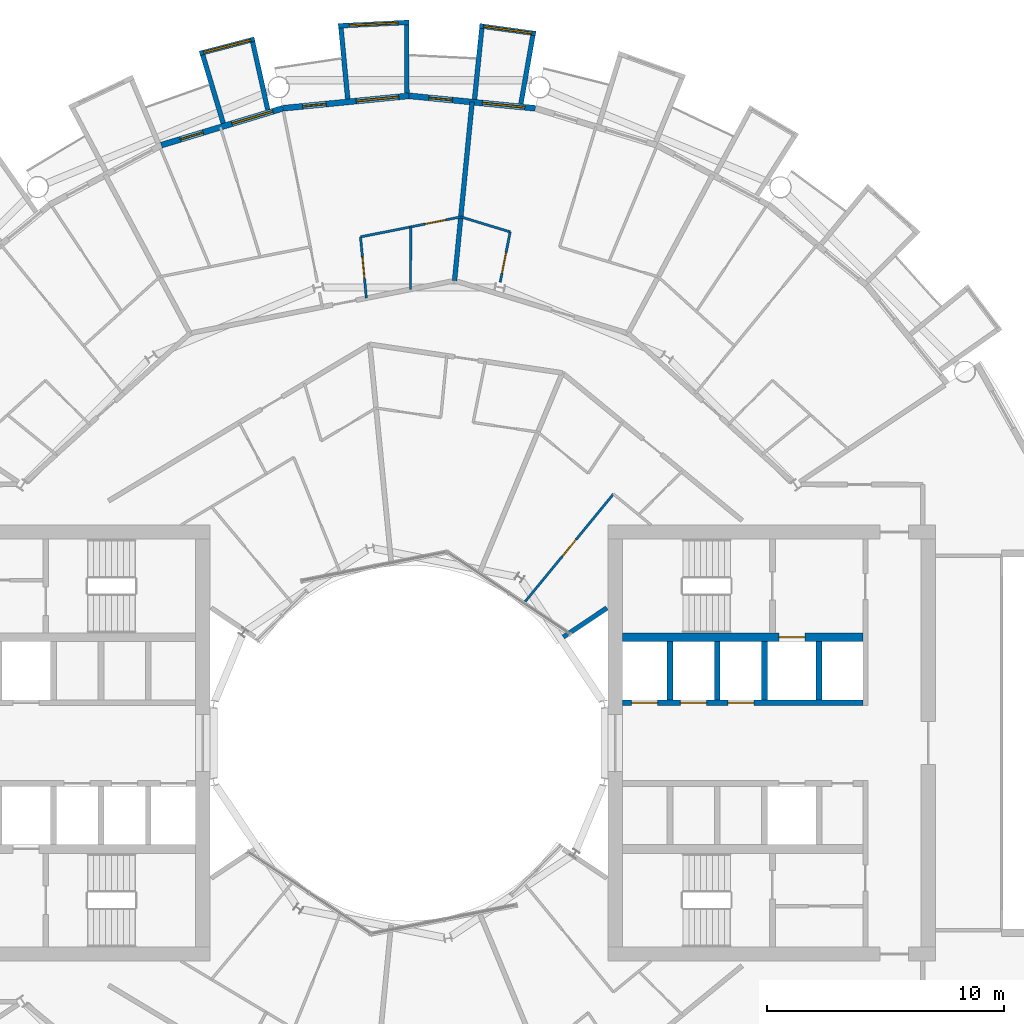
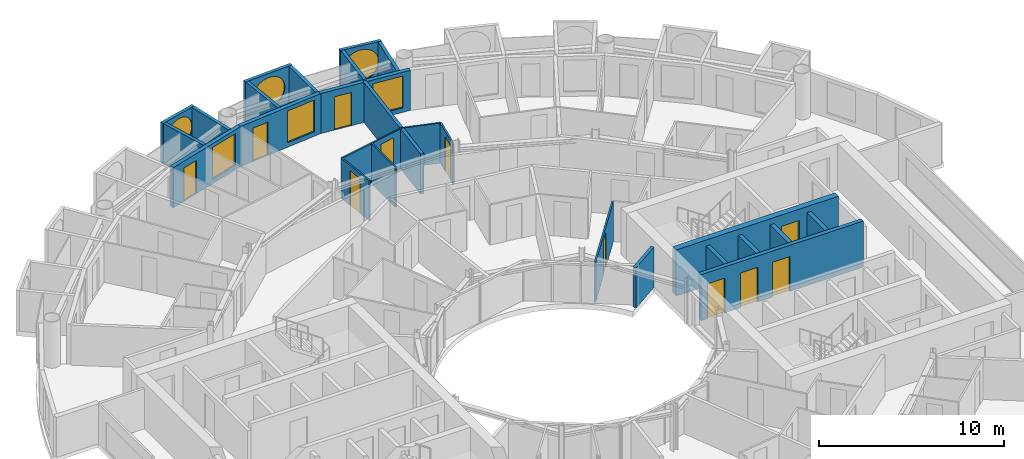
# One storey, part 21 of 27: 26 walls, 11 doors, 6 windows, 17 openings.
"""IFC4 building model written with IfcOpenShell, lengths in metres."""

from ifc_helpers import new_model, si_unit, direction, frame, frame_2d, origin, place, context, subcontext, project, spatial, rectangle, circle, extrude, material, layer, layer_set, type_object, element, fill, save


model = new_model("IFC4")

# Units and contexts
model_context = context("Model", 3, precision=1e-05, world=origin(), true_north=direction((0.0, 1.0)))
body_context = subcontext(model_context, "Body", "Model", "MODEL_VIEW")
ifc_project = project(units=[si_unit("LENGTHUNIT", "METRE"), si_unit("AREAUNIT", "SQUARE_METRE"), si_unit("VOLUMEUNIT", "CUBIC_METRE"), si_unit("PLANEANGLEUNIT", "RADIAN"), si_unit("MASSUNIT", "GRAM", prefix="KILO")], contexts=[model_context])

# Site, building, storey
site_placement = place(None, origin())
site = spatial("IfcSite", under=ifc_project, at=site_placement, CompositionType="ELEMENT")
building_placement = place(site_placement, origin())
building = spatial("IfcBuilding", under=site, at=building_placement, Name="Maasbend Ring Residences", CompositionType="ELEMENT")
storey_placement = place(building_placement, frame((0.0, 0.0, 136.050048828125)))
storey = spatial("IfcBuildingStorey", under=building, at=storey_placement, Name="L39", CompositionType="ELEMENT", Elevation=136.050048828125)

# Wall, openings, doors
ifc_material_1 = material(Name="Concrete C60/75", Category="concrete")
ifc_layer_1 = layer(ifc_material_1, 0.25)
ifc_layer_set_1 = layer_set([ifc_layer_1], Name="Concrete C60/75")
wall_type_1 = type_object("IfcWallType", Name="CORE WALL 250 C60/75", PredefinedType="SHEAR", material=ifc_layer_set_1)
wall_1_placement = place(storey_placement, frame((9.0, 1.699951171875, 0.0), z_axis=(0.0, 0.0, 1.0), x_axis=(1.0, 0.0, 0.0)))
wall_1 = element("IfcWall", 1, at=wall_1_placement, inside=storey, type_object=wall_type_1, Name="L39 core E wall SPN", PredefinedType="SHEAR", context=body_context, shape_type="SweptSolid", body=[
    extrude(rectangle(XDim=10.14990234375, YDim=0.25, at=frame_2d((5.074951171875, 0.0))), origin(), (0.0, 0.0, 1.0), 3.050048828125),
])
opening_1_placement = place(wall_1_placement, frame((0.387451171875, 0.0, 0.0)))
opening_1 = element("IfcOpeningElement", 2, at=opening_1_placement, cuts=wall_1, Name="Opening LD-E3901", PredefinedType="OPENING", context=body_context, shape_type="SweptSolid", body=[
    extrude(rectangle(XDim=1.10009765625, YDim=2.300048828125, at=frame_2d((0.550048828125, 1.14990234375))), frame((0.0, 0.135009765625, 0.0), z_axis=(0.0, -1.0, 0.0), x_axis=(1.0, 0.0, 0.0)), (0.0, 0.0, 1.0), 0.27001953125),
])
opening_2_placement = place(wall_1_placement, frame((2.449951171875, 0.0, 0.0)))
opening_2 = element("IfcOpeningElement", 3, at=opening_2_placement, cuts=wall_1, Name="Opening LD-E3902", PredefinedType="OPENING", context=body_context, shape_type="SweptSolid", body=[
    extrude(rectangle(XDim=1.10009765625, YDim=2.300048828125, at=frame_2d((0.550048828125, 1.14990234375))), frame((0.0, 0.135009765625, 0.0), z_axis=(0.0, -1.0, 0.0), x_axis=(1.0, 0.0, 0.0)), (0.0, 0.0, 1.0), 0.27001953125),
])
opening_3_placement = place(wall_1_placement, frame((4.449951171875, 0.0, 0.0)))
opening_3 = element("IfcOpeningElement", 4, at=opening_3_placement, cuts=wall_1, Name="Opening LD-E3903", PredefinedType="OPENING", context=body_context, shape_type="SweptSolid", body=[
    extrude(rectangle(XDim=1.10009765625, YDim=2.300048828125, at=frame_2d((0.550048828125, 1.14990234375))), frame((0.0, 0.135009765625, 0.0), z_axis=(0.0, -1.0, 0.0), x_axis=(1.0, 0.0, 0.0)), (0.0, 0.0, 1.0), 0.27001953125),
])
ifc_material_2 = material(Name="Stainless steel 316", Category="steel")
door_type_1 = type_object("IfcDoorType", Name="LANDING DOOR 1100 X 2300 FD60", OperationType="DOUBLE_DOOR_SLIDING", PredefinedType="DOOR", material=ifc_material_2)
door_1_placement = place(opening_1_placement, origin())
door_1 = element("IfcDoor", 5, at=door_1_placement, inside=storey, type_object=door_type_1, Name="Landing door LR-E1 L39", OperationType="DOUBLE_DOOR_SLIDING", OverallHeight=2.300048828125, OverallWidth=1.10009765625, PredefinedType="DOOR", context=body_context, shape_type="SweptSolid", body=[
    extrude(rectangle(XDim=1.10009765625, YDim=2.300048828125, at=frame_2d((0.550048828125, 1.14990234375))), frame((0.0, 0.02490234375, 0.0), z_axis=(0.0, -1.0, 0.0), x_axis=(1.0, 0.0, 0.0)), (0.0, 0.0, 1.0), 0.050048828125),
])
fill(opening_1, door_1)
door_2_placement = place(opening_2_placement, origin())
door_2 = element("IfcDoor", 6, at=door_2_placement, inside=storey, type_object=door_type_1, Name="Landing door LR-E2 L39", OperationType="DOUBLE_DOOR_SLIDING", OverallHeight=2.300048828125, OverallWidth=1.10009765625, PredefinedType="DOOR", context=body_context, shape_type="SweptSolid", body=[
    extrude(rectangle(XDim=1.10009765625, YDim=2.300048828125, at=frame_2d((0.550048828125, 1.14990234375))), frame((0.0, 0.02490234375, 0.0), z_axis=(0.0, -1.0, 0.0), x_axis=(1.0, 0.0, 0.0)), (0.0, 0.0, 1.0), 0.050048828125),
])
fill(opening_2, door_2)
door_3_placement = place(opening_3_placement, origin())
door_3 = element("IfcDoor", 7, at=door_3_placement, inside=storey, type_object=door_type_1, Name="Landing door LR-E3 L39", OperationType="DOUBLE_DOOR_SLIDING", OverallHeight=2.300048828125, OverallWidth=1.10009765625, PredefinedType="DOOR", context=body_context, shape_type="SweptSolid", body=[
    extrude(rectangle(XDim=1.10009765625, YDim=2.300048828125, at=frame_2d((0.550048828125, 1.14990234375))), frame((0.0, 0.02490234375, 0.0), z_axis=(0.0, -1.0, 0.0), x_axis=(1.0, 0.0, 0.0)), (0.0, 0.0, 1.0), 0.050048828125),
])
fill(opening_3, door_3)

# Wall, opening, door
ifc_material_3 = material(Name="Concrete C60/75", Category="concrete")
ifc_layer_2 = layer(ifc_material_3, 0.375)
ifc_layer_set_2 = layer_set([ifc_layer_2], Name="Concrete C60/75")
wall_type_2 = type_object("IfcWallType", Name="CORE WALL 375 C60/75", PredefinedType="SHEAR", material=ifc_layer_set_2)
wall_2_placement = place(storey_placement, frame((9.0, 4.46240234375, 0.0), z_axis=(0.0, 0.0, 1.0), x_axis=(1.0, 0.0, 0.0)))
wall_2 = element("IfcWall", 8, at=wall_2_placement, inside=storey, type_object=wall_type_2, Name="L39 core E wall BN", PredefinedType="SHEAR", context=body_context, shape_type="SweptSolid", body=[
    extrude(rectangle(XDim=10.14990234375, YDim=0.375, at=frame_2d((5.074951171875, 0.0))), origin(), (0.0, 0.0, 1.0), 3.050048828125),
])
opening_4_placement = place(wall_2_placement, frame((6.60009765625, 0.0, 0.0)))
opening_4 = element("IfcOpeningElement", 9, at=opening_4_placement, cuts=wall_2, Name="Opening LD-E3904", PredefinedType="OPENING", context=body_context, shape_type="SweptSolid", body=[
    extrude(rectangle(XDim=1.10009765625, YDim=2.300048828125, at=frame_2d((0.550048828125, 1.14990234375))), frame((0.0, 0.197509765625, 0.0), z_axis=(0.0, -1.0, 0.0), x_axis=(1.0, 0.0, 0.0)), (0.0, 0.0, 1.0), 0.39501953125),
])
door_4_placement = place(opening_4_placement, origin())
door_4 = element("IfcDoor", 10, at=door_4_placement, inside=storey, type_object=door_type_1, Name="Landing door FF-E L39", OperationType="DOUBLE_DOOR_SLIDING", OverallHeight=2.300048828125, OverallWidth=1.10009765625, PredefinedType="DOOR", context=body_context, shape_type="SweptSolid", body=[
    extrude(rectangle(XDim=1.10009765625, YDim=2.300048828125, at=frame_2d((0.550048828125, 1.14990234375))), frame((0.0, 0.02490234375, 0.0), z_axis=(0.0, -1.0, 0.0), x_axis=(1.0, 0.0, 0.0)), (0.0, 0.0, 1.0), 0.050048828125),
])
fill(opening_4, door_4)

# Wall, opening, window
ifc_material_4 = material(Name="Pale anodised aluminium panel", Category="aluminium")
ifc_layer_3 = layer(ifc_material_4, 0.199951171875)
ifc_layer_set_3 = layer_set([ifc_layer_3], Name="EW-BOX")
wall_type_3 = type_object("IfcWallType", Name="EW-BOX", PredefinedType="SOLIDWALL", material=ifc_layer_set_3)
wall_3_placement = place(storey_placement, frame((5.344970703125, 29.927001953125, -0.030029296875), z_axis=(0.0, 0.0, 1.0), x_axis=(-0.99061207328, 0.136703036805, 0.0)))
wall_3 = element("IfcWall", 11, at=wall_3_placement, inside=storey, type_object=wall_type_3, Name="Box front N09", PredefinedType="SOLIDWALL", context=body_context, shape_type="SweptSolid", body=[
    extrude(rectangle(XDim=2.391357421875, YDim=0.199951171875, at=frame_2d((1.19580078125, 0.0))), origin(), (0.0, 0.0, 1.0), 2.679931640625),
])
opening_5_placement = place(wall_3_placement, frame((0.15576171875, 0.0, 0.330078125)))
opening_5 = element("IfcOpeningElement", 12, at=opening_5_placement, cuts=wall_3, Name="Opening W-RD", PredefinedType="OPENING", context=body_context, shape_type="SweptSolid", body=[
    extrude(circle(Radius=1.0400390625, at=frame_2d((1.0400390625, 1.0400390625))), frame((0.0, 0.10986328125, 0.0), z_axis=(0.0, -1.0, 0.0), x_axis=(1.0, 0.0, 0.0)), (0.0, 0.0, 1.0), 0.219970703125),
])
ifc_material_5 = material(Name="Aluminium and clear glass", Category="aluminium")
window_type_1 = type_object("IfcWindowType", Name="W-RD", PartitioningType="SINGLE_PANEL", PredefinedType="WINDOW", material=ifc_material_5)
window_1_placement = place(opening_5_placement, origin())
window_1 = element("IfcWindow", 13, at=window_1_placement, inside=storey, type_object=window_type_1, Name="Round window N09", OverallHeight=2.080078125, OverallWidth=2.080078125, PartitioningType="SINGLE_PANEL", PredefinedType="WINDOW", context=body_context, shape_type="SweptSolid", body=[
    extrude(circle(Radius=1.0400390625, at=frame_2d((1.0400390625, 1.0400390625))), frame((0.0, 0.030029296875, 0.0), z_axis=(0.0, -1.0, 0.0), x_axis=(1.0, 0.0, 0.0)), (0.0, 0.0, 1.0), 0.06005859375),
])
fill(opening_5, window_1)

# Walls
wall_4_placement = place(storey_placement, frame((4.719970703125, 26.9609375, -0.030029296875), z_axis=(0.0, 0.0, 1.0), x_axis=(0.172463232037, 0.98501595601, 0.0)))
element("IfcWall", 14, at=wall_4_placement, inside=storey, type_object=wall_type_3, Name="Box side wall N09 left", PredefinedType="SOLIDWALL", context=body_context, shape_type="SweptSolid", body=[
    extrude(rectangle(XDim=2.928955078125, YDim=0.199951171875, at=frame_2d((1.46435546875, 0.0))), origin(), (0.0, 0.0, 1.0), 2.679931640625),
])
wall_5_placement = place(storey_placement, frame((2.763916015625, 27.153076171875, -0.030029296875), z_axis=(0.0, 0.0, 1.0), x_axis=(0.101505487237, 0.994834979311, 0.0)))
element("IfcWall", 15, at=wall_5_placement, inside=storey, type_object=wall_type_3, Name="Box side wall N09 right", PredefinedType="SOLIDWALL", context=body_context, shape_type="SweptSolid", body=[
    extrude(rectangle(XDim=3.006591796875, YDim=0.199951171875, at=frame_2d((1.50341796875, 0.0))), origin(), (0.0, 0.0, 1.0), 2.679931640625),
])

# Wall, opening, window
wall_6_placement = place(storey_placement, frame((0.0048828125, 30.39990234375, -0.030029296875), z_axis=(0.0, 0.0, 1.0), x_axis=(-0.998794083011, -0.049095618353, 0.0)))
wall_6 = element("IfcWall", 16, at=wall_6_placement, inside=storey, type_object=wall_type_3, Name="Box front N11", PredefinedType="SOLIDWALL", context=body_context, shape_type="SweptSolid", body=[
    extrude(rectangle(XDim=2.99365234375, YDim=0.199951171875, at=frame_2d((1.496826171875, 0.0))), origin(), (0.0, 0.0, 1.0), 2.679931640625),
])
opening_6_placement = place(wall_6_placement, frame((0.45654296875, 0.0, 0.330078125)))
opening_6 = element("IfcOpeningElement", 17, at=opening_6_placement, cuts=wall_6, Name="Opening W-RD", PredefinedType="OPENING", context=body_context, shape_type="SweptSolid", body=[
    extrude(circle(Radius=1.0400390625, at=frame_2d((1.0400390625, 1.0400390625))), frame((0.0, 0.10986328125, 0.0), z_axis=(0.0, -1.0, 0.0), x_axis=(1.0, 0.0, 0.0)), (0.0, 0.0, 1.0), 0.219970703125),
])
window_2_placement = place(opening_6_placement, origin())
window_2 = element("IfcWindow", 18, at=window_2_placement, inside=storey, type_object=window_type_1, Name="Round window N11", OverallHeight=2.080078125, OverallWidth=2.080078125, PartitioningType="SINGLE_PANEL", PredefinedType="WINDOW", context=body_context, shape_type="SweptSolid", body=[
    extrude(circle(Radius=1.0400390625, at=frame_2d((1.0400390625, 1.0400390625))), frame((0.0, 0.030029296875, 0.0), z_axis=(0.0, -1.0, 0.0), x_axis=(1.0, 0.0, 0.0)), (0.0, 0.0, 1.0), 0.06005859375),
])
fill(opening_6, window_2)

# Walls
wall_7_placement = place(storey_placement, frame((-0.090087890625, 27.4169921875, -0.030029296875), z_axis=(0.0, 0.0, 1.0), x_axis=(-0.00347308367, 0.999993968827, 0.0)))
element("IfcWall", 19, at=wall_7_placement, inside=storey, type_object=wall_type_3, Name="Box side wall N11 left", PredefinedType="SOLIDWALL", context=body_context, shape_type="SweptSolid", body=[
    extrude(rectangle(XDim=2.882080078125, YDim=0.199951171875, at=frame_2d((1.44091796875, 0.0))), origin(), (0.0, 0.0, 1.0), 2.679931640625),
])
wall_8_placement = place(storey_placement, frame((-2.5859375, 27.1708984375, -0.030029296875), z_axis=(0.0, 0.0, 1.0), x_axis=(-0.094548432284, 0.995520262954, 0.0)))
element("IfcWall", 20, at=wall_8_placement, inside=storey, type_object=wall_type_3, Name="Box side wall N11 right", PredefinedType="SOLIDWALL", context=body_context, shape_type="SweptSolid", body=[
    extrude(rectangle(XDim=3.005615234375, YDim=0.199951171875, at=frame_2d((1.5029296875, 0.0))), origin(), (0.0, 0.0, 1.0), 2.679931640625),
])

# Wall, opening, window
wall_9_placement = place(storey_placement, frame((-6.514892578125, 29.694091796875, -0.030029296875), z_axis=(0.0, 0.0, 1.0), x_axis=(-0.967554339146, -0.252663018266, 0.0)))
wall_9 = element("IfcWall", 21, at=wall_9_placement, inside=storey, type_object=wall_type_3, Name="Box front N13", PredefinedType="SOLIDWALL", context=body_context, shape_type="SweptSolid", body=[
    extrude(rectangle(XDim=2.390625, YDim=0.199951171875, at=frame_2d((1.1953125, 0.0))), origin(), (0.0, 0.0, 1.0), 2.679931640625),
])
opening_7_placement = place(wall_9_placement, frame((0.15576171875, 0.0, 0.330078125)))
opening_7 = element("IfcOpeningElement", 22, at=opening_7_placement, cuts=wall_9, Name="Opening W-RD", PredefinedType="OPENING", context=body_context, shape_type="SweptSolid", body=[
    extrude(circle(Radius=1.0400390625, at=frame_2d((1.0400390625, 1.0400390625))), frame((0.0, 0.10986328125, 0.0), z_axis=(0.0, -1.0, 0.0), x_axis=(1.0, 0.0, 0.0)), (0.0, 0.0, 1.0), 0.219970703125),
])
window_3_placement = place(opening_7_placement, origin())
window_3 = element("IfcWindow", 23, at=window_3_placement, inside=storey, type_object=window_type_1, Name="Round window N13", OverallHeight=2.080078125, OverallWidth=2.080078125, PartitioningType="SINGLE_PANEL", PredefinedType="WINDOW", context=body_context, shape_type="SweptSolid", body=[
    extrude(circle(Radius=1.0400390625, at=frame_2d((1.0400390625, 1.0400390625))), frame((0.0, 0.030029296875, 0.0), z_axis=(0.0, -1.0, 0.0), x_axis=(1.0, 0.0, 0.0)), (0.0, 0.0, 1.0), 0.06005859375),
])
fill(opening_7, window_3)

# Walls
wall_10_placement = place(storey_placement, frame((-5.95703125, 26.715087890625, -0.030029296875), z_axis=(0.0, 0.0, 1.0), x_axis=(-0.217857287091, 0.975980636315, 0.0)))
element("IfcWall", 24, at=wall_10_placement, inside=storey, type_object=wall_type_3, Name="Box side wall N13 left", PredefinedType="SOLIDWALL", context=body_context, shape_type="SweptSolid", body=[
    extrude(rectangle(XDim=2.92822265625, YDim=0.199951171875, at=frame_2d((1.464111328125, 0.0))), origin(), (0.0, 0.0, 1.0), 2.679931640625),
])
wall_11_placement = place(storey_placement, frame((-7.8369140625, 26.14404296875, -0.030029296875), z_axis=(0.0, 0.0, 1.0), x_axis=(-0.287064767992, 0.957911174889, 0.0)))
element("IfcWall", 25, at=wall_11_placement, inside=storey, type_object=wall_type_3, Name="Box side wall N13 right", PredefinedType="SOLIDWALL", context=body_context, shape_type="SweptSolid", body=[
    extrude(rectangle(XDim=3.00634765625, YDim=0.199951171875, at=frame_2d((1.503173828125, 0.0))), origin(), (0.0, 0.0, 1.0), 2.679931640625),
])

# Wall, openings, door, window
ifc_material_6 = material(Name="Aluminium clad insulated panel", Category="aluminium")
ifc_layer_4 = layer(ifc_material_6, 0.25)
ifc_layer_set_4 = layer_set([ifc_layer_4], Name="EW-GL")
wall_type_4 = type_object("IfcWallType", Name="EW-GL", PredefinedType="SOLIDWALL", material=ifc_layer_set_4)
wall_12_placement = place(storey_placement, frame((5.325927734375, 26.77490234375, 0.0), z_axis=(0.0, 0.0, 1.0), x_axis=(-0.995173996315, 0.098126026407, 0.0)))
wall_12 = element("IfcWall", 26, at=wall_12_placement, inside=storey, type_object=wall_type_4, Name="External wall N05", PredefinedType="SOLIDWALL", context=body_context, shape_type="SweptSolid", body=[
    extrude(rectangle(XDim=5.351806640625, YDim=0.25, at=frame_2d((2.67578125, 0.0))), origin(), (0.0, 0.0, 1.0), 2.64990234375),
])
opening_8_placement = place(wall_12_placement, frame((0.441162109375, 0.0, 0.300048828125)))
opening_8 = element("IfcOpeningElement", 27, at=opening_8_placement, cuts=wall_12, Name="Opening W-BX", PredefinedType="OPENING", context=body_context, shape_type="SweptSolid", body=[
    extrude(rectangle(XDim=1.800048828125, YDim=2.10009765625, at=frame_2d((0.89990234375, 1.050048828125))), frame((0.0, 0.135009765625, 0.0), z_axis=(0.0, -1.0, 0.0), x_axis=(1.0, 0.0, 0.0)), (0.0, 0.0, 1.0), 0.27001953125),
])
opening_9_placement = place(wall_12_placement, frame((3.510498046875, 0.0, 0.0)))
opening_9 = element("IfcOpeningElement", 28, at=opening_9_placement, cuts=wall_12, Name="Opening D-LG", PredefinedType="OPENING", context=body_context, shape_type="SweptSolid", body=[
    extrude(rectangle(XDim=1.0, YDim=2.199951171875, at=frame_2d((0.5, 1.10009765625))), frame((0.0, 0.135009765625, 0.0), z_axis=(0.0, -1.0, 0.0), x_axis=(1.0, 0.0, 0.0)), (0.0, 0.0, 1.0), 0.27001953125),
])
ifc_material_7 = material(Name="Aluminium and clear glass", Category="aluminium")
door_type_2 = type_object("IfcDoorType", Name="D-LG", OperationType="SINGLE_SWING_LEFT", PredefinedType="DOOR", material=ifc_material_7)
door_5_placement = place(opening_9_placement, origin())
door_5 = element("IfcDoor", 29, at=door_5_placement, inside=storey, type_object=door_type_2, Name="Loggia door N10", OperationType="SINGLE_SWING_LEFT", OverallHeight=2.199951171875, OverallWidth=1.0, PredefinedType="DOOR", context=body_context, shape_type="SweptSolid", body=[
    extrude(rectangle(XDim=1.0, YDim=2.199951171875, at=frame_2d((0.5, 1.10009765625))), frame((0.0, 0.02490234375, 0.0), z_axis=(0.0, -1.0, 0.0), x_axis=(1.0, 0.0, 0.0)), (0.0, 0.0, 1.0), 0.050048828125),
])
fill(opening_9, door_5)
ifc_material_8 = material(Name="Aluminium and clear glass", Category="aluminium")
window_type_2 = type_object("IfcWindowType", Name="W-BX", PartitioningType="DOUBLE_PANEL_VERTICAL", PredefinedType="WINDOW", material=ifc_material_8)
window_4_placement = place(opening_8_placement, origin())
window_4 = element("IfcWindow", 30, at=window_4_placement, inside=storey, type_object=window_type_2, Name="Window N09 room to box", OverallHeight=2.10009765625, OverallWidth=1.800048828125, PartitioningType="SINGLE_PANEL", PredefinedType="WINDOW", context=body_context, shape_type="SweptSolid", body=[
    extrude(rectangle(XDim=1.800048828125, YDim=2.10009765625, at=frame_2d((0.89990234375, 1.050048828125))), frame((0.0, 0.030029296875, 0.0), z_axis=(0.0, -1.0, 0.0), x_axis=(1.0, 0.0, 0.0)), (0.0, 0.0, 1.0), 0.06005859375),
])
fill(opening_8, window_4)

wall_13_placement = place(storey_placement, frame((0.0, 27.300048828125, 0.0), z_axis=(0.0, 0.0, 1.0), x_axis=(-0.995173996315, -0.098126026407, 0.0)))
wall_13 = element("IfcWall", 31, at=wall_13_placement, inside=storey, type_object=wall_type_4, Name="External wall N06", PredefinedType="SOLIDWALL", context=body_context, shape_type="SweptSolid", body=[
    extrude(rectangle(XDim=5.351806640625, YDim=0.25, at=frame_2d((2.67578125, 0.0))), origin(), (0.0, 0.0, 1.0), 2.64990234375),
])
opening_10_placement = place(wall_13_placement, frame((0.441162109375, 0.0, 0.300048828125)))
opening_10 = element("IfcOpeningElement", 32, at=opening_10_placement, cuts=wall_13, Name="Opening W-BX", PredefinedType="OPENING", context=body_context, shape_type="SweptSolid", body=[
    extrude(rectangle(XDim=1.800048828125, YDim=2.10009765625, at=frame_2d((0.89990234375, 1.050048828125))), frame((0.0, 0.135009765625, 0.0), z_axis=(0.0, -1.0, 0.0), x_axis=(1.0, 0.0, 0.0)), (0.0, 0.0, 1.0), 0.27001953125),
])
opening_11_placement = place(wall_13_placement, frame((3.510498046875, 0.0, 0.0)))
opening_11 = element("IfcOpeningElement", 33, at=opening_11_placement, cuts=wall_13, Name="Opening D-LG", PredefinedType="OPENING", context=body_context, shape_type="SweptSolid", body=[
    extrude(rectangle(XDim=1.0, YDim=2.199951171875, at=frame_2d((0.5, 1.10009765625))), frame((0.0, 0.135009765625, 0.0), z_axis=(0.0, -1.0, 0.0), x_axis=(1.0, 0.0, 0.0)), (0.0, 0.0, 1.0), 0.27001953125),
])
door_6_placement = place(opening_11_placement, origin())
door_6 = element("IfcDoor", 34, at=door_6_placement, inside=storey, type_object=door_type_2, Name="Loggia door N12", OperationType="SINGLE_SWING_LEFT", OverallHeight=2.199951171875, OverallWidth=1.0, PredefinedType="DOOR", context=body_context, shape_type="SweptSolid", body=[
    extrude(rectangle(XDim=1.0, YDim=2.199951171875, at=frame_2d((0.5, 1.10009765625))), frame((0.0, 0.02490234375, 0.0), z_axis=(0.0, -1.0, 0.0), x_axis=(1.0, 0.0, 0.0)), (0.0, 0.0, 1.0), 0.050048828125),
])
fill(opening_11, door_6)
window_5_placement = place(opening_10_placement, origin())
window_5 = element("IfcWindow", 35, at=window_5_placement, inside=storey, type_object=window_type_2, Name="Window N11 room to box", OverallHeight=2.10009765625, OverallWidth=1.800048828125, PartitioningType="SINGLE_PANEL", PredefinedType="WINDOW", context=body_context, shape_type="SweptSolid", body=[
    extrude(rectangle(XDim=1.800048828125, YDim=2.10009765625, at=frame_2d((0.89990234375, 1.050048828125))), frame((0.0, 0.030029296875, 0.0), z_axis=(0.0, -1.0, 0.0), x_axis=(1.0, 0.0, 0.0)), (0.0, 0.0, 1.0), 0.06005859375),
])
fill(opening_10, window_5)

wall_14_placement = place(storey_placement, frame((-5.325927734375, 26.77490234375, 0.0), z_axis=(0.0, 0.0, 1.0), x_axis=(-0.956965678721, -0.290201119486, 0.0)))
wall_14 = element("IfcWall", 36, at=wall_14_placement, inside=storey, type_object=wall_type_4, Name="External wall N07", PredefinedType="SOLIDWALL", context=body_context, shape_type="SweptSolid", body=[
    extrude(rectangle(XDim=5.351318359375, YDim=0.25, at=frame_2d((2.67578125, 0.0))), origin(), (0.0, 0.0, 1.0), 2.64990234375),
])
opening_12_placement = place(wall_14_placement, frame((0.441162109375, 0.0, 0.300048828125)))
opening_12 = element("IfcOpeningElement", 37, at=opening_12_placement, cuts=wall_14, Name="Opening W-BX", PredefinedType="OPENING", context=body_context, shape_type="SweptSolid", body=[
    extrude(rectangle(XDim=1.800048828125, YDim=2.10009765625, at=frame_2d((0.89990234375, 1.050048828125))), frame((0.0, 0.135009765625, 0.0), z_axis=(0.0, -1.0, 0.0), x_axis=(1.0, 0.0, 0.0)), (0.0, 0.0, 1.0), 0.27001953125),
])
opening_13_placement = place(wall_14_placement, frame((3.510498046875, 0.0, 0.0)))
opening_13 = element("IfcOpeningElement", 38, at=opening_13_placement, cuts=wall_14, Name="Opening D-LG", PredefinedType="OPENING", context=body_context, shape_type="SweptSolid", body=[
    extrude(rectangle(XDim=1.0, YDim=2.199951171875, at=frame_2d((0.5, 1.10009765625))), frame((0.0, 0.135009765625, 0.0), z_axis=(0.0, -1.0, 0.0), x_axis=(1.0, 0.0, 0.0)), (0.0, 0.0, 1.0), 0.27001953125),
])
door_7_placement = place(opening_13_placement, origin())
door_7 = element("IfcDoor", 39, at=door_7_placement, inside=storey, type_object=door_type_2, Name="Loggia door N14", OperationType="SINGLE_SWING_LEFT", OverallHeight=2.199951171875, OverallWidth=1.0, PredefinedType="DOOR", context=body_context, shape_type="SweptSolid", body=[
    extrude(rectangle(XDim=1.0, YDim=2.199951171875, at=frame_2d((0.5, 1.10009765625))), frame((0.0, 0.02490234375, 0.0), z_axis=(0.0, -1.0, 0.0), x_axis=(1.0, 0.0, 0.0)), (0.0, 0.0, 1.0), 0.050048828125),
])
fill(opening_13, door_7)
window_6_placement = place(opening_12_placement, origin())
window_6 = element("IfcWindow", 40, at=window_6_placement, inside=storey, type_object=window_type_2, Name="Window N13 room to box", OverallHeight=2.10009765625, OverallWidth=1.800048828125, PartitioningType="SINGLE_PANEL", PredefinedType="WINDOW", context=body_context, shape_type="SweptSolid", body=[
    extrude(rectangle(XDim=1.800048828125, YDim=2.10009765625, at=frame_2d((0.89990234375, 1.050048828125))), frame((0.0, 0.030029296875, 0.0), z_axis=(0.0, -1.0, 0.0), x_axis=(1.0, 0.0, 0.0)), (0.0, 0.0, 1.0), 0.06005859375),
])
fill(opening_12, window_6)

# Wall, opening, door
ifc_material_9 = material(Name="Gypsum board on steel studs", Category="steel")
ifc_layer_5 = layer(ifc_material_9, 0.10009765625)
ifc_layer_set_5 = layer_set([ifc_layer_5], Name="PARTITION 100 GYPSUM")
wall_type_5 = type_object("IfcWallType", Name="PARTITION 100 GYPSUM", PredefinedType="PARTITIONING", material=ifc_layer_set_5)
wall_15_placement = place(storey_placement, frame((-2.047119140625, 21.35107421875, 0.0), z_axis=(0.0, 0.0, 1.0), x_axis=(0.095518932305, -0.995427613426, 0.0)))
wall_15 = element("IfcWall", 41, at=wall_15_placement, inside=storey, type_object=wall_type_5, Name="U-L39-w059", PredefinedType="PARTITIONING", context=body_context, shape_type="SweptSolid", body=[
    extrude(rectangle(XDim=2.596923828125, YDim=0.10009765625, at=frame_2d((1.29833984375, 0.0))), origin(), (0.0, 0.0, 1.0), 2.64990234375),
])
opening_14_placement = place(wall_15_placement, frame((0.847900390625, 0.0, 0.0)))
opening_14 = element("IfcOpeningElement", 42, at=opening_14_placement, cuts=wall_15, Name="Opening D-3913", PredefinedType="OPENING", context=body_context, shape_type="SweptSolid", body=[
    extrude(rectangle(XDim=0.89990234375, YDim=2.300048828125, at=frame_2d((0.449951171875, 1.14990234375))), frame((0.0, 0.06005859375, 0.0), z_axis=(0.0, -1.0, 0.0), x_axis=(1.0, 0.0, 0.0)), (0.0, 0.0, 1.0), 0.1201171875),
])
ifc_material_10 = material(Name="Timber, painted", Category="wood")
door_type_3 = type_object("IfcDoorType", Name="INTERNAL DOOR 900 X 2300", OperationType="NOTDEFINED", PredefinedType="DOOR", material=ifc_material_10)
door_8_placement = place(opening_14_placement, origin())
door_8 = element("IfcDoor", 43, at=door_8_placement, inside=storey, type_object=door_type_3, Name="D-3913", OperationType="SINGLE_SWING_RIGHT", OverallHeight=2.300048828125, OverallWidth=0.89990234375, PredefinedType="DOOR", context=body_context, shape_type="SweptSolid", body=[
    extrude(rectangle(XDim=0.89990234375, YDim=2.300048828125, at=frame_2d((0.449951171875, 1.14990234375))), frame((0.0, 0.02490234375, 0.0), z_axis=(0.0, -1.0, 0.0), x_axis=(1.0, 0.0, 0.0)), (0.0, 0.0, 1.0), 0.050048828125),
])
fill(opening_14, door_8)

# Wall
wall_16_placement = place(storey_placement, frame((0.06103515625, 19.135986328125, 0.0), z_axis=(0.0, 0.0, 1.0), x_axis=(0.003056390281, 0.999995329228, 0.0)))
element("IfcWall", 44, at=wall_16_placement, inside=storey, type_object=wall_type_5, Name="U-L39-w063", PredefinedType="PARTITIONING", context=body_context, shape_type="SweptSolid", body=[
    extrude(rectangle(XDim=2.635986328125, YDim=0.10009765625, at=frame_2d((1.31787109375, 0.0))), origin(), (0.0, 0.0, 1.0), 2.64990234375),
])

# Wall, opening, door
wall_17_placement = place(storey_placement, frame((3.846923828125, 19.43896484375, 0.0), z_axis=(0.0, 0.0, 1.0), x_axis=(0.194227580483, 0.980956495967, 0.0)))
wall_17 = element("IfcWall", 45, at=wall_17_placement, inside=storey, type_object=wall_type_5, Name="U-L39-w073", PredefinedType="PARTITIONING", context=body_context, shape_type="SweptSolid", body=[
    extrude(rectangle(XDim=2.163330078125, YDim=0.10009765625, at=frame_2d((1.08154296875, 0.0))), origin(), (0.0, 0.0, 1.0), 2.64990234375),
])
opening_15_placement = place(wall_17_placement, frame((0.383056640625, 0.0, 0.0)))
opening_15 = element("IfcOpeningElement", 46, at=opening_15_placement, cuts=wall_17, Name="Opening D-3908", PredefinedType="OPENING", context=body_context, shape_type="SweptSolid", body=[
    extrude(rectangle(XDim=0.89990234375, YDim=2.300048828125, at=frame_2d((0.449951171875, 1.14990234375))), frame((0.0, 0.06005859375, 0.0), z_axis=(0.0, -1.0, 0.0), x_axis=(1.0, 0.0, 0.0)), (0.0, 0.0, 1.0), 0.1201171875),
])
door_9_placement = place(opening_15_placement, origin())
door_9 = element("IfcDoor", 47, at=door_9_placement, inside=storey, type_object=door_type_3, Name="D-3908", OperationType="SINGLE_SWING_LEFT", OverallHeight=2.300048828125, OverallWidth=0.89990234375, PredefinedType="DOOR", context=body_context, shape_type="SweptSolid", body=[
    extrude(rectangle(XDim=0.89990234375, YDim=2.300048828125, at=frame_2d((0.449951171875, 1.14990234375))), frame((0.0, 0.02490234375, 0.0), z_axis=(0.0, -1.0, 0.0), x_axis=(1.0, 0.0, 0.0)), (0.0, 0.0, 1.0), 0.050048828125),
])
fill(opening_15, door_9)

wall_18_placement = place(storey_placement, frame((4.89892578125, 5.967041015625, 0.0), z_axis=(0.0, 0.0, 1.0), x_axis=(0.634358693064, 0.773038840249, 0.0)))
wall_18 = element("IfcWall", 48, at=wall_18_placement, inside=storey, type_object=wall_type_5, Name="U-L39-w075", PredefinedType="PARTITIONING", context=body_context, shape_type="SweptSolid", body=[
    extrude(rectangle(XDim=5.86767578125, YDim=0.10009765625, at=frame_2d((2.933837890625, 0.0))), origin(), (0.0, 0.0, 1.0), 2.64990234375),
])
opening_16_placement = place(wall_18_placement, frame((2.48388671875, 0.0, 0.0)))
opening_16 = element("IfcOpeningElement", 49, at=opening_16_placement, cuts=wall_18, Name="Opening D-3927", PredefinedType="OPENING", context=body_context, shape_type="SweptSolid", body=[
    extrude(rectangle(XDim=0.89990234375, YDim=2.300048828125, at=frame_2d((0.449951171875, 1.14990234375))), frame((0.0, 0.06005859375, 0.0), z_axis=(0.0, -1.0, 0.0), x_axis=(1.0, 0.0, 0.0)), (0.0, 0.0, 1.0), 0.1201171875),
])
door_10_placement = place(opening_16_placement, origin())
door_10 = element("IfcDoor", 50, at=door_10_placement, inside=storey, type_object=door_type_3, Name="D-3927", OperationType="SINGLE_SWING_RIGHT", OverallHeight=2.300048828125, OverallWidth=0.89990234375, PredefinedType="DOOR", context=body_context, shape_type="SweptSolid", body=[
    extrude(rectangle(XDim=0.89990234375, YDim=2.300048828125, at=frame_2d((0.449951171875, 1.14990234375))), frame((0.0, 0.02490234375, 0.0), z_axis=(0.0, -1.0, 0.0), x_axis=(1.0, 0.0, 0.0)), (0.0, 0.0, 1.0), 0.050048828125),
])
fill(opening_16, door_10)

wall_19_placement = place(storey_placement, frame((-2.048095703125, 21.35107421875, 0.0), z_axis=(0.0, 0.0, 1.0), x_axis=(0.980784647647, 0.19509350307, 0.0)))
wall_19 = element("IfcWall", 51, at=wall_19_placement, inside=storey, type_object=wall_type_5, Name="U-L39-w118", PredefinedType="PARTITIONING", context=body_context, shape_type="SweptSolid", body=[
    extrude(rectangle(XDim=4.316162109375, YDim=0.10009765625, at=frame_2d((2.158203125, 0.0))), origin(), (0.0, 0.0, 1.0), 2.64990234375),
])
opening_17_placement = place(wall_19_placement, frame((2.7880859375, 0.0, 0.0)))
opening_17 = element("IfcOpeningElement", 52, at=opening_17_placement, cuts=wall_19, Name="Opening D-3912", PredefinedType="OPENING", context=body_context, shape_type="SweptSolid", body=[
    extrude(rectangle(XDim=0.89990234375, YDim=2.300048828125, at=frame_2d((0.449951171875, 1.14990234375))), frame((0.0, 0.06005859375, 0.0), z_axis=(0.0, -1.0, 0.0), x_axis=(1.0, 0.0, 0.0)), (0.0, 0.0, 1.0), 0.1201171875),
])
door_11_placement = place(opening_17_placement, origin())
door_11 = element("IfcDoor", 53, at=door_11_placement, inside=storey, type_object=door_type_3, Name="D-3912", OperationType="SINGLE_SWING_RIGHT", OverallHeight=2.300048828125, OverallWidth=0.89990234375, PredefinedType="DOOR", context=body_context, shape_type="SweptSolid", body=[
    extrude(rectangle(XDim=0.89990234375, YDim=2.300048828125, at=frame_2d((0.449951171875, 1.14990234375))), frame((0.0, 0.02490234375, 0.0), z_axis=(0.0, -1.0, 0.0), x_axis=(1.0, 0.0, 0.0)), (0.0, 0.0, 1.0), 0.050048828125),
])
fill(opening_17, door_11)

# Walls
wall_20_placement = place(storey_placement, frame((2.18603515625, 22.193115234375, 0.0), z_axis=(0.0, 0.0, 1.0), x_axis=(0.956838221976, -0.290621088303, 0.0)))
element("IfcWall", 54, at=wall_20_placement, inside=storey, type_object=wall_type_5, Name="U-L39-w125", PredefinedType="PARTITIONING", context=body_context, shape_type="SweptSolid", body=[
    extrude(rectangle(XDim=2.175048828125, YDim=0.10009765625, at=frame_2d((1.08740234375, 0.0))), origin(), (0.0, 0.0, 1.0), 2.64990234375),
])
ifc_material_11 = material(Name="Concrete C30/37", Category="concrete")
ifc_layer_6 = layer(ifc_material_11, 0.199951171875)
ifc_layer_set_6 = layer_set([ifc_layer_6], Name="Concrete C30/37")
wall_type_6 = type_object("IfcWallType", Name="PARTY WALL 200 CONCRETE", PredefinedType="PARTITIONING", material=ifc_layer_set_6)
wall_21_placement = place(storey_placement, frame((1.919921875, 19.506103515625, 0.0), z_axis=(0.0, 0.0, 1.0), x_axis=(0.097987704654, 0.995187625394, 0.0)))
element("IfcWall", 55, at=wall_21_placement, inside=storey, type_object=wall_type_6, Name="U-L39-w066", PredefinedType="PARTITIONING", context=body_context, shape_type="SweptSolid", body=[
    extrude(rectangle(XDim=7.57421875, YDim=0.199951171875, at=frame_2d((3.787109375, 0.0))), origin(), (0.0, 0.0, 1.0), 2.64990234375),
])
wall_22_placement = place(storey_placement, frame((6.512939453125, 4.471923828125, 0.0), z_axis=(0.0, 0.0, 1.0), x_axis=(0.831333375071, 0.555774072347, 0.0)))
element("IfcWall", 56, at=wall_22_placement, inside=storey, type_object=wall_type_6, Name="U-L39-w097", PredefinedType="PARTITIONING", context=body_context, shape_type="SweptSolid", body=[
    extrude(rectangle(XDim=2.20263671875, YDim=0.199951171875, at=frame_2d((1.101318359375, 0.0))), origin(), (0.0, 0.0, 1.0), 2.64990234375),
])
ifc_material_12 = material(Name="Concrete C30/37", Category="concrete")
ifc_layer_7 = layer(ifc_material_12, 0.25)
ifc_layer_set_7 = layer_set([ifc_layer_7], Name="Concrete C30/37")
wall_type_7 = type_object("IfcWallType", Name="SHAFT WALL 250 EI 120", PredefinedType="SOLIDWALL", material=ifc_layer_set_7)
for number, where, z_axis, x_axis, name in (
    (57, (15.0, 1.824951171875, 0.0), (0.0, 0.0, 1.0), (0.0, 1.0, 0.0), "L39 core E wall D150N"),
    (58, (17.300048828125, 1.824951171875, 0.0), (0.0, 0.0, 1.0), (0.0, 1.0, 0.0), "L39 core E wall D173N"),
    (59, (11.0, 1.824951171875, 0.0), (0.0, 0.0, 1.0), (0.0, 1.0, 0.0), "L39 core E wall D110N"),
    (60, (13.0, 1.824951171875, 0.0), (0.0, 0.0, 1.0), (0.0, 1.0, 0.0), "L39 core E wall D130N"),
):
    element("IfcWall", number, at=place(storey_placement, frame(where, z_axis=z_axis, x_axis=x_axis)), inside=storey, type_object=wall_type_7, Name=name, PredefinedType="SOLIDWALL", context=body_context, shape_type="SweptSolid", body=[
        extrude(rectangle(XDim=2.449951171875, YDim=0.25, at=frame_2d((1.22509765625, 0.0))), origin(), (0.0, 0.0, 1.0), 2.64990234375),
    ])

save(model, "model.ifc")
